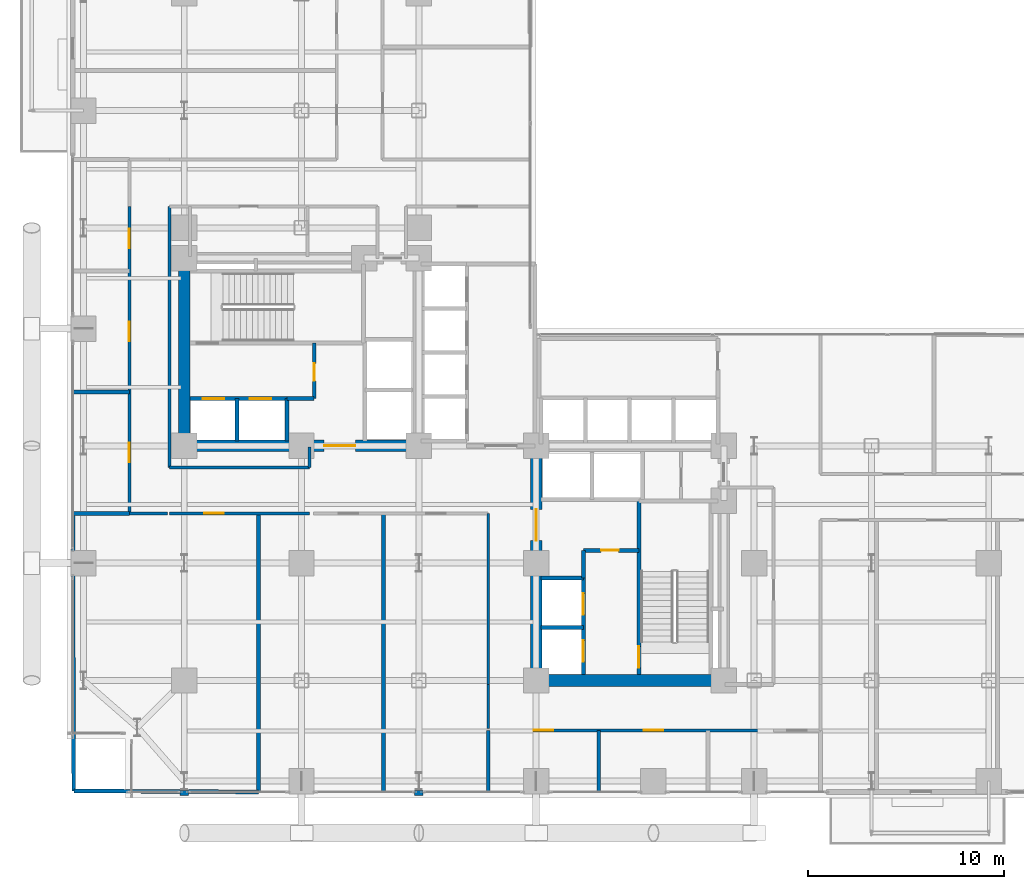
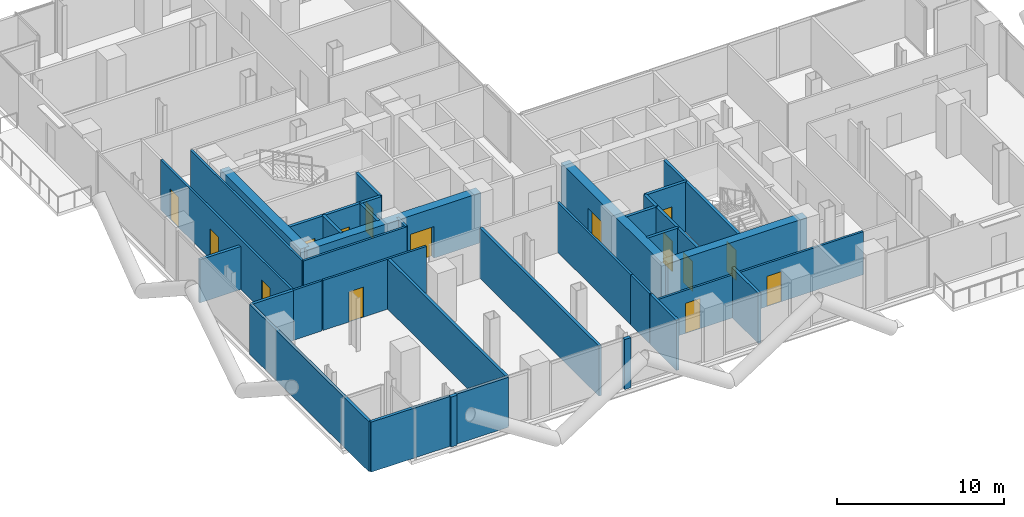
# One storey, part 21 of 27: 35 walls, 15 doors, 15 openings.
"""IFC4 building model written with IfcOpenShell, lengths in metres."""

from ifc_helpers import new_model, si_unit, direction, frame, frame_2d, origin, place, context, subcontext, project, spatial, rectangle, extrude, material, layer, layer_set, type_object, element, fill, save


model = new_model("IFC4")

# Units and contexts
model_context = context("Model", 3, precision=1e-05, world=origin(), true_north=direction((0.0, 1.0)))
body_context = subcontext(model_context, "Body", "Model", "MODEL_VIEW")
ifc_project = project(units=[si_unit("LENGTHUNIT", "METRE"), si_unit("AREAUNIT", "SQUARE_METRE"), si_unit("VOLUMEUNIT", "CUBIC_METRE"), si_unit("PLANEANGLEUNIT", "RADIAN"), si_unit("MASSUNIT", "GRAM", prefix="KILO"), si_unit("THERMODYNAMICTEMPERATUREUNIT", "KELVIN"), si_unit("POWERUNIT", "WATT")], contexts=[model_context])

# Site, building, storey
site_placement = place(None, origin())
site = spatial("IfcSite", under=ifc_project, at=site_placement, CompositionType="ELEMENT")
building_placement = place(site_placement, origin())
building = spatial("IfcBuilding", under=site, at=building_placement, Name="Svarakhadi Broadcast Tower", CompositionType="ELEMENT")
storey_placement = place(building_placement, frame((0.0, 0.0, 75.300048828125)))
storey = spatial("IfcBuildingStorey", under=building, at=storey_placement, Name="L17", CompositionType="ELEMENT", Elevation=75.300048828125)

# Walls
ifc_material_1 = material(Name="Double-Stud Acoustic Studio Partition STC-62", Category="gypsum")
ifc_layer_1 = layer(ifc_material_1, 0.199951171875)
ifc_layer_set_1 = layer_set([ifc_layer_1], Name="Double-Stud Acoustic Studio Partition STC-62")
wall_type_1 = type_object("IfcWallType", Name="Wall_Acoust_200", PredefinedType="PARTITIONING", material=ifc_layer_set_1)
wall_1_placement = place(storey_placement, frame((0.35009765625, 0.35009765625, 0.0), z_axis=(0.0, 0.0, 1.0), x_axis=(0.99998595132, -0.005300675722, 0.0)))
element("IfcWall", 1, at=wall_1_placement, inside=storey, type_object=wall_type_1, Name="L17 Waterfront Broadcast Staff Dining Hall Wall", PredefinedType="PARTITIONING", context=body_context, shape_type="SweptSolid", body=[
    extrude(rectangle(XDim=5.434814453125, YDim=0.199951171875, at=frame_2d((2.71728515625, 0.0))), origin(), (0.0, 0.0, 1.0), 3.64990234375),
])
wall_2_placement = place(storey_placement, frame((6.215087890625, 0.319091796875, 0.0), z_axis=(0.0, 0.0, 1.0), x_axis=(0.999985892136, -0.005311829174, 0.0)))
element("IfcWall", 2, at=wall_2_placement, inside=storey, type_object=wall_type_1, Name="L17 Waterfront Broadcast Staff Dining Hall Wall", PredefinedType="PARTITIONING", context=body_context, shape_type="SweptSolid", body=[
    extrude(rectangle(XDim=3.5849609375, YDim=0.199951171875, at=frame_2d((1.79248046875, 0.0))), origin(), (0.0, 0.0, 1.0), 3.64990234375),
])
wall_3_placement = place(storey_placement, frame((0.35009765625, 0.35009765625, 0.0), z_axis=(0.0, 0.0, 1.0), x_axis=(-0.003524555588, 0.999993788735, 0.0)))
element("IfcWall", 3, at=wall_3_placement, inside=storey, type_object=wall_type_1, Name="L17 Waterfront Broadcast Staff Dining Hall Wall", PredefinedType="PARTITIONING", context=body_context, shape_type="SweptSolid", body=[
    extrude(rectangle(XDim=14.199951171875, YDim=0.199951171875, at=frame_2d((7.10009765625, 0.0))), origin(), (0.0, 0.0, 1.0), 3.64990234375),
])
for number, where, z_axis, x_axis, name in (
    (4, (9.800048828125, 0.300048828125, 0.0), (0.0, 0.0, 1.0), (0.0, 1.0, 0.0), "L17 Waterfront Broadcast Staff Dining Hall Wall"),
    (5, (16.199951171875, 0.300048828125, 0.0), (0.0, 0.0, 1.0), (0.0, 1.0, 0.0), "L17 Central Commercial Catering Kitchen Wall"),
):
    element("IfcWall", number, at=place(storey_placement, frame(where, z_axis=z_axis, x_axis=x_axis)), inside=storey, type_object=wall_type_1, Name=name, PredefinedType="PARTITIONING", context=body_context, shape_type="SweptSolid", body=[
        extrude(rectangle(XDim=14.25, YDim=0.199951171875, at=frame_2d((7.125, 0.0))), origin(), (0.0, 0.0, 1.0), 3.64990234375),
    ])
wall_4_placement = place(storey_placement, frame((0.300048828125, 14.550048828125, 0.0), z_axis=(0.0, 0.0, 1.0), x_axis=(1.0, 0.0, 0.0)))
element("IfcWall", 6, at=wall_4_placement, inside=storey, type_object=wall_type_1, Name="L17 Arabian Sea Commentary Booth Wall", PredefinedType="PARTITIONING", context=body_context, shape_type="SweptSolid", body=[
    extrude(rectangle(XDim=2.89990234375, YDim=0.199951171875, at=frame_2d((1.449951171875, 0.0))), origin(), (0.0, 0.0, 1.0), 3.64990234375),
])
wall_5_placement = place(storey_placement, frame((0.300048828125, 20.75, 0.0), z_axis=(0.0, 0.0, 1.0), x_axis=(1.0, 0.0, 0.0)))
element("IfcWall", 7, at=wall_5_placement, inside=storey, type_object=wall_type_1, Name="L17 Arabian Sea Commentary Booth Wall", PredefinedType="PARTITIONING", context=body_context, shape_type="SweptSolid", body=[
    extrude(rectangle(XDim=2.89990234375, YDim=0.199951171875, at=frame_2d((1.449951171875, 0.0))), origin(), (0.0, 0.0, 1.0), 3.141845703125),
])
for number, where, z_axis, x_axis, name in (
    (8, (21.550048828125, 0.300048828125, 0.0), (0.0, 0.0, 1.0), (0.0, 1.0, 0.0), "L17 South Harbour Editorial Desk Wall"),
    (9, (27.199951171875, 0.300048828125, 0.0), (0.0, 0.0, 1.0), (0.0, 1.0, 0.0), "L17 South Harbour Editorial Desk Wall"),
):
    element("IfcWall", number, at=place(storey_placement, frame(where, z_axis=z_axis, x_axis=x_axis)), inside=storey, type_object=wall_type_1, Name=name, PredefinedType="PARTITIONING", context=body_context, shape_type="SweptSolid", body=[
        extrude(rectangle(XDim=3.14990234375, YDim=0.199951171875, at=frame_2d((1.574951171875, 0.0))), origin(), (0.0, 0.0, 1.0), 3.64990234375),
    ])
ifc_material_2 = material(Name="Concrete C40/50 (IS 456 M50)", Category="concrete")
ifc_layer_2 = layer(ifc_material_2, 0.239990234375)
ifc_layer_set_2 = layer_set([ifc_layer_2], Name="Concrete C40/50 (IS 456 M50)")
wall_type_2 = type_object("IfcWallType", Name="Wall_Ext_240", PredefinedType="SOLIDWALL", material=ifc_layer_set_2)
for number, where, z_axis, x_axis, name in (
    (10, (18.215087890625, 0.239990234375, 0.0), (0.0, 0.0, 1.0), (-1.0, 0.0, 0.0), "L17 Perimeter Bronze Spandrel Closure Wall 05"),
    (11, (6.215087890625, 0.239990234375, 0.0), (0.0, 0.0, 1.0), (-1.0, 0.0, 0.0), "L17 Perimeter Bronze Spandrel Closure Wall 06"),
):
    element("IfcWall", number, at=place(storey_placement, frame(where, z_axis=z_axis, x_axis=x_axis)), inside=storey, type_object=wall_type_2, Name=name, PredefinedType="SOLIDWALL", context=body_context, shape_type="SweptSolid", body=[
        extrude(rectangle(XDim=0.43017578125, YDim=0.239990234375, at=frame_2d((0.215087890625, 0.0))), origin(), (0.0, 0.0, 1.0), 3.64990234375),
    ])

# Wall, openings, doors
ifc_material_3 = material(Name="Autoclaved Aerated Concrete Blockwork 150 mm", Category="masonry")
ifc_layer_3 = layer(ifc_material_3, 0.14990234375)
ifc_layer_set_3 = layer_set([ifc_layer_3], Name="Autoclaved Aerated Concrete Blockwork 150 mm")
wall_type_3 = type_object("IfcWallType", Name="Wall_Part_150", PredefinedType="PARTITIONING", material=ifc_layer_set_3)
wall_6_placement = place(storey_placement, frame((36.14990234375, 3.449951171875, 0.0), z_axis=(0.0, 0.0, 1.0), x_axis=(-1.0, 0.0, 0.0)))
wall_6 = element("IfcWall", 12, at=wall_6_placement, inside=storey, type_object=wall_type_3, Name="L17 Broadcast Corridor Wall", PredefinedType="PARTITIONING", context=body_context, shape_type="SweptSolid", body=[
    extrude(rectangle(XDim=14.599853515625, YDim=0.14990234375, at=frame_2d((7.2998046875, 0.0))), origin(), (0.0, 0.0, 1.0), 3.141845703125),
])
opening_1_placement = place(wall_6_placement, frame((11.27490234375, 0.0, 0.0)))
opening_1 = element("IfcOpeningElement", 13, at=opening_1_placement, cuts=wall_6, Name="Opening D-08", PredefinedType="OPENING", context=body_context, shape_type="SweptSolid", body=[
    extrude(rectangle(XDim=1.0, YDim=2.199951171875, at=frame_2d((0.5, 1.10009765625))), frame((0.0, 0.0849609375, 0.0), z_axis=(0.0, -1.0, 0.0), x_axis=(1.0, 0.0, 0.0)), (0.0, 0.0, 1.0), 0.169921875),
])
opening_2_placement = place(wall_6_placement, frame((5.64990234375, 0.0, 0.0)))
opening_2 = element("IfcOpeningElement", 14, at=opening_2_placement, cuts=wall_6, Name="Opening D-09", PredefinedType="OPENING", context=body_context, shape_type="SweptSolid", body=[
    extrude(rectangle(XDim=1.0, YDim=2.199951171875, at=frame_2d((0.5, 1.10009765625))), frame((0.0, 0.0849609375, 0.0), z_axis=(0.0, -1.0, 0.0), x_axis=(1.0, 0.0, 0.0)), (0.0, 0.0, 1.0), 0.169921875),
])
ifc_material_4 = material(Name="Solid-Core Teak Veneer Acoustic Timber Leaf", Category="wood")
door_type_1 = type_object("IfcDoorType", Name="Door_Suite_D08", OperationType="SINGLE_SWING_LEFT", PredefinedType="DOOR", material=ifc_material_4)
door_1_placement = place(opening_1_placement, origin())
door_1 = element("IfcDoor", 15, at=door_1_placement, inside=storey, type_object=door_type_1, Name="L17 South Harbour Editorial Desk Door", OperationType="SINGLE_SWING_LEFT", OverallHeight=2.199951171875, OverallWidth=1.0, PredefinedType="DOOR", context=body_context, shape_type="SweptSolid", body=[
    extrude(rectangle(XDim=1.0, YDim=2.199951171875, at=frame_2d((0.5, 1.10009765625))), frame((0.0, 0.02490234375, 0.0), z_axis=(0.0, -1.0, 0.0), x_axis=(1.0, 0.0, 0.0)), (0.0, 0.0, 1.0), 0.050048828125),
])
fill(opening_1, door_1)
door_type_2 = type_object("IfcDoorType", Name="Door_Suite_D09", OperationType="SINGLE_SWING_RIGHT", PredefinedType="DOOR", material=ifc_material_4)
door_2_placement = place(opening_2_placement, origin())
door_2 = element("IfcDoor", 16, at=door_2_placement, inside=storey, type_object=door_type_2, Name="L17 Media Legal Review Office Door", OperationType="SINGLE_SWING_RIGHT", OverallHeight=2.199951171875, OverallWidth=1.0, PredefinedType="DOOR", context=body_context, shape_type="SweptSolid", body=[
    extrude(rectangle(XDim=1.0, YDim=2.199951171875, at=frame_2d((0.5, 1.10009765625))), frame((0.0, 0.02490234375, 0.0), z_axis=(0.0, -1.0, 0.0), x_axis=(1.0, 0.0, 0.0)), (0.0, 0.0, 1.0), 0.050048828125),
])
fill(opening_2, door_2)

# Walls
wall_7_placement = place(storey_placement, frame((21.550048828125, 3.550048828125, 0.0), z_axis=(0.0, 0.0, 1.0), x_axis=(0.0, 1.0, 0.0)))
element("IfcWall", 17, at=wall_7_placement, inside=storey, type_object=wall_type_3, Name="L17 Broadcast Corridor Wall", PredefinedType="PARTITIONING", context=body_context, shape_type="SweptSolid", body=[
    extrude(rectangle(XDim=2.25, YDim=0.14990234375, at=frame_2d((1.125, 0.0))), origin(), (0.0, 0.0, 1.0), 3.64990234375),
])
wall_8_placement = place(storey_placement, frame((21.550048828125, 5.800048828125, 0.0), z_axis=(0.0, 0.0, 1.0), x_axis=(0.0, 1.0, 0.0)))
element("IfcWall", 18, at=wall_8_placement, inside=storey, type_object=wall_type_3, Name="L17 Broadcast Corridor Wall", PredefinedType="PARTITIONING", context=body_context, shape_type="SweptSolid", body=[
    extrude(rectangle(XDim=8.75, YDim=0.14990234375, at=frame_2d((4.375, 0.0))), origin(), (0.0, 0.0, 1.0), 3.64990234375),
])

# Wall, opening, door
wall_9_placement = place(storey_placement, frame((12.39990234375, 14.550048828125, 0.0), z_axis=(0.0, 0.0, 1.0), x_axis=(-1.0, 0.0, 0.0)))
wall_9 = element("IfcWall", 19, at=wall_9_placement, inside=storey, type_object=wall_type_3, Name="L17 Broadcast Corridor Wall", PredefinedType="PARTITIONING", context=body_context, shape_type="SweptSolid", body=[
    extrude(rectangle(XDim=7.14990234375, YDim=0.14990234375, at=frame_2d((3.574951171875, 0.0))), origin(), (0.0, 0.0, 1.0), 3.64990234375),
])
opening_3_placement = place(wall_9_placement, frame((4.375, 0.0, 0.0)))
opening_3 = element("IfcOpeningElement", 20, at=opening_3_placement, cuts=wall_9, Name="Opening D-08", PredefinedType="OPENING", context=body_context, shape_type="SweptSolid", body=[
    extrude(rectangle(XDim=1.0, YDim=2.199951171875, at=frame_2d((0.5, 1.10009765625))), frame((0.0, 0.0849609375, 0.0), z_axis=(0.0, -1.0, 0.0), x_axis=(1.0, 0.0, 0.0)), (0.0, 0.0, 1.0), 0.169921875),
])
door_3_placement = place(opening_3_placement, origin())
door_3 = element("IfcDoor", 21, at=door_3_placement, inside=storey, type_object=door_type_1, Name="L17 Waterfront Broadcast Staff Dining Hall Door", OperationType="SINGLE_SWING_LEFT", OverallHeight=2.199951171875, OverallWidth=1.0, PredefinedType="DOOR", context=body_context, shape_type="SweptSolid", body=[
    extrude(rectangle(XDim=1.0, YDim=2.199951171875, at=frame_2d((0.5, 1.10009765625))), frame((0.0, 0.02490234375, 0.0), z_axis=(0.0, -1.0, 0.0), x_axis=(1.0, 0.0, 0.0)), (0.0, 0.0, 1.0), 0.050048828125),
])
fill(opening_3, door_3)

# Wall
wall_10_placement = place(storey_placement, frame((5.14990234375, 14.550048828125, 0.0), z_axis=(0.0, 0.0, 1.0), x_axis=(-1.0, 0.0, 0.0)))
element("IfcWall", 22, at=wall_10_placement, inside=storey, type_object=wall_type_3, Name="L17 Broadcast Corridor Wall", PredefinedType="PARTITIONING", context=body_context, shape_type="SweptSolid", body=[
    extrude(rectangle(XDim=1.949951171875, YDim=0.14990234375, at=frame_2d((0.97509765625, 0.0))), origin(), (0.0, 0.0, 1.0), 3.64990234375),
])

# Wall, openings, doors
wall_11_placement = place(storey_placement, frame((3.199951171875, 14.550048828125, 0.0), z_axis=(0.0, 0.0, 1.0), x_axis=(0.0, 1.0, 0.0)))
wall_11 = element("IfcWall", 23, at=wall_11_placement, inside=storey, type_object=wall_type_3, Name="L17 Broadcast Corridor Wall", PredefinedType="PARTITIONING", context=body_context, shape_type="SweptSolid", body=[
    extrude(rectangle(XDim=15.699951171875, YDim=0.14990234375, at=frame_2d((7.85009765625, 0.0))), origin(), (0.0, 0.0, 1.0), 3.64990234375),
])
opening_4_placement = place(wall_11_placement, frame((2.60009765625, 0.0, 0.0)))
opening_4 = element("IfcOpeningElement", 24, at=opening_4_placement, cuts=wall_11, Name="Opening D-09", PredefinedType="OPENING", context=body_context, shape_type="SweptSolid", body=[
    extrude(rectangle(XDim=1.0, YDim=2.199951171875, at=frame_2d((0.5, 1.10009765625))), frame((0.0, 0.0849609375, 0.0), z_axis=(0.0, -1.0, 0.0), x_axis=(1.0, 0.0, 0.0)), (0.0, 0.0, 1.0), 0.169921875),
])
opening_5_placement = place(wall_11_placement, frame((8.800048828125, 0.0, 0.0)))
opening_5 = element("IfcOpeningElement", 25, at=opening_5_placement, cuts=wall_11, Name="Opening D-08", PredefinedType="OPENING", context=body_context, shape_type="SweptSolid", body=[
    extrude(rectangle(XDim=1.0, YDim=2.199951171875, at=frame_2d((0.5, 1.10009765625))), frame((0.0, 0.0849609375, 0.0), z_axis=(0.0, -1.0, 0.0), x_axis=(1.0, 0.0, 0.0)), (0.0, 0.0, 1.0), 0.169921875),
])
opening_6_placement = place(wall_11_placement, frame((13.550048828125, 0.0, 0.0)))
opening_6 = element("IfcOpeningElement", 26, at=opening_6_placement, cuts=wall_11, Name="Opening D-09", PredefinedType="OPENING", context=body_context, shape_type="SweptSolid", body=[
    extrude(rectangle(XDim=1.0, YDim=2.199951171875, at=frame_2d((0.5, 1.10009765625))), frame((0.0, 0.0849609375, 0.0), z_axis=(0.0, -1.0, 0.0), x_axis=(1.0, 0.0, 0.0)), (0.0, 0.0, 1.0), 0.169921875),
])
door_4_placement = place(opening_5_placement, origin())
door_4 = element("IfcDoor", 27, at=door_4_placement, inside=storey, type_object=door_type_1, Name="L17 Live Translation Studio Door", OperationType="SINGLE_SWING_LEFT", OverallHeight=2.199951171875, OverallWidth=1.0, PredefinedType="DOOR", context=body_context, shape_type="SweptSolid", body=[
    extrude(rectangle(XDim=1.0, YDim=2.199951171875, at=frame_2d((0.5, 1.10009765625))), frame((0.0, 0.02490234375, 0.0), z_axis=(0.0, -1.0, 0.0), x_axis=(1.0, 0.0, 0.0)), (0.0, 0.0, 1.0), 0.050048828125),
])
fill(opening_5, door_4)
door_5_placement = place(opening_4_placement, origin())
door_5 = element("IfcDoor", 28, at=door_5_placement, inside=storey, type_object=door_type_2, Name="L17 Arabian Sea Commentary Booth Door", OperationType="SINGLE_SWING_RIGHT", OverallHeight=2.199951171875, OverallWidth=1.0, PredefinedType="DOOR", context=body_context, shape_type="SweptSolid", body=[
    extrude(rectangle(XDim=1.0, YDim=2.199951171875, at=frame_2d((0.5, 1.10009765625))), frame((0.0, 0.02490234375, 0.0), z_axis=(0.0, -1.0, 0.0), x_axis=(1.0, 0.0, 0.0)), (0.0, 0.0, 1.0), 0.050048828125),
])
fill(opening_4, door_5)
door_6_placement = place(opening_6_placement, origin())
door_6 = element("IfcDoor", 29, at=door_6_placement, inside=storey, type_object=door_type_2, Name="L17 Producer Quiet Lounge Door", OperationType="SINGLE_SWING_RIGHT", OverallHeight=2.199951171875, OverallWidth=1.0, PredefinedType="DOOR", context=body_context, shape_type="SweptSolid", body=[
    extrude(rectangle(XDim=1.0, YDim=2.199951171875, at=frame_2d((0.5, 1.10009765625))), frame((0.0, 0.02490234375, 0.0), z_axis=(0.0, -1.0, 0.0), x_axis=(1.0, 0.0, 0.0)), (0.0, 0.0, 1.0), 0.050048828125),
])
fill(opening_6, door_6)

# Walls
wall_12_placement = place(storey_placement, frame((5.25, 30.25, 0.0), z_axis=(0.0, 0.0, 1.0), x_axis=(0.0, -1.0, 0.0)))
element("IfcWall", 30, at=wall_12_placement, inside=storey, type_object=wall_type_3, Name="L17 Broadcast Corridor Wall", PredefinedType="PARTITIONING", context=body_context, shape_type="SweptSolid", body=[
    extrude(rectangle(XDim=13.35009765625, YDim=0.14990234375, at=frame_2d((6.675048828125, 0.0))), origin(), (0.0, 0.0, 1.0), 3.64990234375),
])
wall_13_placement = place(storey_placement, frame((5.25, 16.89990234375, 0.0), z_axis=(0.0, 0.0, 1.0), x_axis=(1.0, 0.0, 0.0)))
element("IfcWall", 31, at=wall_13_placement, inside=storey, type_object=wall_type_3, Name="L17 Broadcast Corridor Wall", PredefinedType="PARTITIONING", context=body_context, shape_type="SweptSolid", body=[
    extrude(rectangle(XDim=7.14990234375, YDim=0.14990234375, at=frame_2d((3.574951171875, 0.0))), origin(), (0.0, 0.0, 1.0), 3.64990234375),
])
wall_14_placement = place(storey_placement, frame((12.39990234375, 16.89990234375, 0.0), z_axis=(0.0, 0.0, 1.0), x_axis=(0.0, 1.0, 0.0)))
element("IfcWall", 32, at=wall_14_placement, inside=storey, type_object=wall_type_3, Name="L17 Broadcast Corridor Wall", PredefinedType="PARTITIONING", context=body_context, shape_type="SweptSolid", body=[
    extrude(rectangle(XDim=1.050048828125, YDim=0.14990234375, at=frame_2d((0.52490234375, 0.0))), origin(), (0.0, 0.0, 1.0), 3.64990234375),
])

# Wall, opening, door
ifc_material_5 = material(Name="Concrete C50/60 (IS 456 M60)", Category="concrete")
ifc_layer_4 = layer(ifc_material_5, 0.199951171875)
ifc_layer_set_4 = layer_set([ifc_layer_4], Name="Concrete C50/60 (IS 456 M60)")
wall_type_4 = type_object("IfcWallType", Name="Wall_Shear_200", PredefinedType="SHEAR", material=ifc_layer_set_4)
wall_15_placement = place(storey_placement, frame((29.260009765625, 6.300048828125, 0.0), z_axis=(0.0, 0.0, 1.0), x_axis=(0.0, 1.0, 0.0)))
wall_15 = element("IfcWall", 33, at=wall_15_placement, inside=storey, type_object=wall_type_4, Name="L17 Stair ST-02 West RC Shaft Wall", PredefinedType="SHEAR", context=body_context, shape_type="SweptSolid", body=[
    extrude(rectangle(XDim=8.8798828125, YDim=0.199951171875, at=frame_2d((4.43994140625, 0.0))), origin(), (0.0, 0.0, 1.0), 3.64990234375),
])
opening_7_placement = place(wall_15_placement, frame((0.35009765625, 0.0, 0.0)))
opening_7 = element("IfcOpeningElement", 34, at=opening_7_placement, cuts=wall_15, Name="Opening D-02", PredefinedType="OPENING", context=body_context, shape_type="SweptSolid", body=[
    extrude(rectangle(XDim=1.10009765625, YDim=2.199951171875, at=frame_2d((0.550048828125, 1.10009765625))), frame((0.0, 0.10986328125, 0.0), z_axis=(0.0, -1.0, 0.0), x_axis=(1.0, 0.0, 0.0)), (0.0, 0.0, 1.0), 0.219970703125),
])
ifc_material_6 = material(Name="Galvanised Powder-Coated Fire-Rated Steel Leaf", Category="steel")
door_type_3 = type_object("IfcDoorType", Name="Door_Stair_D02", OperationType="SINGLE_SWING_RIGHT", PredefinedType="DOOR", material=ifc_material_6)
door_7_placement = place(opening_7_placement, origin())
door_7 = element("IfcDoor", 35, at=door_7_placement, inside=storey, type_object=door_type_3, Name="L17 Protected Exit Stair ST-02 Fire Door", OperationType="SINGLE_SWING_RIGHT", OverallHeight=2.199951171875, OverallWidth=1.10009765625, PredefinedType="DOOR", context=body_context, shape_type="SweptSolid", body=[
    extrude(rectangle(XDim=1.10009765625, YDim=2.199951171875, at=frame_2d((0.550048828125, 1.10009765625))), frame((0.0, 0.02490234375, 0.0), z_axis=(0.0, -1.0, 0.0), x_axis=(1.0, 0.0, 0.0)), (0.0, 0.0, 1.0), 0.050048828125),
])
fill(opening_7, door_7)

# Wall, openings, doors
wall_16_placement = place(storey_placement, frame((6.300048828125, 20.419921875, 0.0), z_axis=(0.0, 0.0, 1.0), x_axis=(1.0, 0.0, 0.0)))
wall_16 = element("IfcWall", 36, at=wall_16_placement, inside=storey, type_object=wall_type_4, Name="L17 Firefighting Lift LF-01/02 Shaft Wall", PredefinedType="SHEAR", context=body_context, shape_type="SweptSolid", body=[
    extrude(rectangle(XDim=4.949951171875, YDim=0.199951171875, at=frame_2d((2.47509765625, 0.0))), origin(), (0.0, 0.0, 1.0), 3.64990234375),
])
opening_8_placement = place(wall_16_placement, frame((0.64990234375, 0.0, 0.0)))
opening_8 = element("IfcOpeningElement", 37, at=opening_8_placement, cuts=wall_16, Name="Opening LD-01", PredefinedType="OPENING", context=body_context, shape_type="SweptSolid", body=[
    extrude(rectangle(XDim=1.10009765625, YDim=2.199951171875, at=frame_2d((0.550048828125, 1.10009765625))), frame((0.0, 0.10986328125, 0.0), z_axis=(0.0, -1.0, 0.0), x_axis=(1.0, 0.0, 0.0)), (0.0, 0.0, 1.0), 0.219970703125),
])
opening_9_placement = place(wall_16_placement, frame((3.050048828125, 0.0, 0.0)))
opening_9 = element("IfcOpeningElement", 38, at=opening_9_placement, cuts=wall_16, Name="Opening LD-01", PredefinedType="OPENING", context=body_context, shape_type="SweptSolid", body=[
    extrude(rectangle(XDim=1.10009765625, YDim=2.199951171875, at=frame_2d((0.550048828125, 1.10009765625))), frame((0.0, 0.10986328125, 0.0), z_axis=(0.0, -1.0, 0.0), x_axis=(1.0, 0.0, 0.0)), (0.0, 0.0, 1.0), 0.219970703125),
])
door_type_4 = type_object("IfcDoorType", Name="Door_Lift_LD01", OperationType="SLIDING_TO_LEFT", PredefinedType="DOOR", material=ifc_material_6)
door_8_placement = place(opening_8_placement, origin())
door_8 = element("IfcDoor", 39, at=door_8_placement, inside=storey, type_object=door_type_4, Name="L17 Firefighting Lift LF-01 Landing Door", OperationType="SLIDING_TO_LEFT", OverallHeight=2.199951171875, OverallWidth=1.10009765625, PredefinedType="DOOR", context=body_context, shape_type="SweptSolid", body=[
    extrude(rectangle(XDim=1.10009765625, YDim=2.199951171875, at=frame_2d((0.550048828125, 1.10009765625))), frame((0.0, 0.02490234375, 0.0), z_axis=(0.0, -1.0, 0.0), x_axis=(1.0, 0.0, 0.0)), (0.0, 0.0, 1.0), 0.050048828125),
])
fill(opening_8, door_8)
door_9_placement = place(opening_9_placement, origin())
door_9 = element("IfcDoor", 40, at=door_9_placement, inside=storey, type_object=door_type_4, Name="L17 Firefighting Lift LF-02 Landing Door", OperationType="SLIDING_TO_LEFT", OverallHeight=2.199951171875, OverallWidth=1.10009765625, PredefinedType="DOOR", context=body_context, shape_type="SweptSolid", body=[
    extrude(rectangle(XDim=1.10009765625, YDim=2.199951171875, at=frame_2d((0.550048828125, 1.10009765625))), frame((0.0, 0.02490234375, 0.0), z_axis=(0.0, -1.0, 0.0), x_axis=(1.0, 0.0, 0.0)), (0.0, 0.0, 1.0), 0.050048828125),
])
fill(opening_9, door_9)

# Walls
for number, where, z_axis, x_axis, name in (
    (41, (8.699951171875, 18.25, 0.0), (0.0, 0.0, 1.0), (0.0, 1.0, 0.0), "L17 Firefighting Lift LF-01/02 Divider Wall"),
    (42, (11.25, 18.25, 0.0), (0.0, 0.0, 1.0), (0.0, 1.0, 0.0), "L17 Firefighting Lift LF-02 East Wall"),
):
    element("IfcWall", number, at=place(storey_placement, frame(where, z_axis=z_axis, x_axis=x_axis)), inside=storey, type_object=wall_type_4, Name=name, PredefinedType="SHEAR", context=body_context, shape_type="SweptSolid", body=[
        extrude(rectangle(XDim=2.169921875, YDim=0.199951171875, at=frame_2d((1.0849609375, 0.0))), origin(), (0.0, 0.0, 1.0), 3.64990234375),
    ])
wall_17_placement = place(storey_placement, frame((11.25, 20.419921875, 0.0), z_axis=(0.0, 0.0, 1.0), x_axis=(1.0, 0.0, 0.0)))
element("IfcWall", 43, at=wall_17_placement, inside=storey, type_object=wall_type_4, Name="L17 West Firefighting Lobby South Wall", PredefinedType="SHEAR", context=body_context, shape_type="SweptSolid", body=[
    extrude(rectangle(XDim=1.39990234375, YDim=0.199951171875, at=frame_2d((0.699951171875, 0.0))), origin(), (0.0, 0.0, 1.0), 3.64990234375),
])

# Wall, opening, door
wall_18_placement = place(storey_placement, frame((12.64990234375, 20.419921875, 0.0), z_axis=(0.0, 0.0, 1.0), x_axis=(0.0, 1.0, 0.0)))
wall_18 = element("IfcWall", 44, at=wall_18_placement, inside=storey, type_object=wall_type_4, Name="L17 West Firefighting Lobby East Wall", PredefinedType="SHEAR", context=body_context, shape_type="SweptSolid", body=[
    extrude(rectangle(XDim=2.840087890625, YDim=0.199951171875, at=frame_2d((1.419921875, 0.0))), origin(), (0.0, 0.0, 1.0), 3.64990234375),
])
opening_10_placement = place(wall_18_placement, frame((0.89990234375, 0.0, 0.0)))
opening_10 = element("IfcOpeningElement", 45, at=opening_10_placement, cuts=wall_18, Name="Opening D-03", PredefinedType="OPENING", context=body_context, shape_type="SweptSolid", body=[
    extrude(rectangle(XDim=0.89990234375, YDim=2.14990234375, at=frame_2d((0.449951171875, 1.074951171875))), frame((0.0, 0.10986328125, 0.0), z_axis=(0.0, -1.0, 0.0), x_axis=(1.0, 0.0, 0.0)), (0.0, 0.0, 1.0), 0.219970703125),
])
door_type_5 = type_object("IfcDoorType", Name="Door_Fire_D03", OperationType="SINGLE_SWING_LEFT", PredefinedType="DOOR", material=ifc_material_6)
door_10_placement = place(opening_10_placement, origin())
door_10 = element("IfcDoor", 46, at=door_10_placement, inside=storey, type_object=door_type_5, Name="L17 West Firefighting Lobby Fire Door", OperationType="SINGLE_SWING_LEFT", OverallHeight=2.14990234375, OverallWidth=0.89990234375, PredefinedType="DOOR", context=body_context, shape_type="SweptSolid", body=[
    extrude(rectangle(XDim=0.89990234375, YDim=2.14990234375, at=frame_2d((0.449951171875, 1.074951171875))), frame((0.0, 0.02490234375, 0.0), z_axis=(0.0, -1.0, 0.0), x_axis=(1.0, 0.0, 0.0)), (0.0, 0.0, 1.0), 0.050048828125),
])
fill(opening_10, door_10)

# Wall, openings, doors
wall_19_placement = place(storey_placement, frame((26.419921875, 6.300048828125, 0.0), z_axis=(0.0, 0.0, 1.0), x_axis=(0.0, 1.0, 0.0)))
wall_19 = element("IfcWall", 47, at=wall_19_placement, inside=storey, type_object=wall_type_4, Name="L17 Firefighting Lift LF-03/04 Shaft Wall", PredefinedType="SHEAR", context=body_context, shape_type="SweptSolid", body=[
    extrude(rectangle(XDim=4.949951171875, YDim=0.199951171875, at=frame_2d((2.47509765625, 0.0))), origin(), (0.0, 0.0, 1.0), 3.64990234375),
])
opening_11_placement = place(wall_19_placement, frame((0.64990234375, 0.0, 0.0)))
opening_11 = element("IfcOpeningElement", 48, at=opening_11_placement, cuts=wall_19, Name="Opening LD-01", PredefinedType="OPENING", context=body_context, shape_type="SweptSolid", body=[
    extrude(rectangle(XDim=1.10009765625, YDim=2.199951171875, at=frame_2d((0.550048828125, 1.10009765625))), frame((0.0, 0.10986328125, 0.0), z_axis=(0.0, -1.0, 0.0), x_axis=(1.0, 0.0, 0.0)), (0.0, 0.0, 1.0), 0.219970703125),
])
opening_12_placement = place(wall_19_placement, frame((3.050048828125, 0.0, 0.0)))
opening_12 = element("IfcOpeningElement", 49, at=opening_12_placement, cuts=wall_19, Name="Opening LD-01", PredefinedType="OPENING", context=body_context, shape_type="SweptSolid", body=[
    extrude(rectangle(XDim=1.10009765625, YDim=2.199951171875, at=frame_2d((0.550048828125, 1.10009765625))), frame((0.0, 0.10986328125, 0.0), z_axis=(0.0, -1.0, 0.0), x_axis=(1.0, 0.0, 0.0)), (0.0, 0.0, 1.0), 0.219970703125),
])
door_11_placement = place(opening_11_placement, origin())
door_11 = element("IfcDoor", 50, at=door_11_placement, inside=storey, type_object=door_type_4, Name="L17 Firefighting Lift LF-03 Landing Door", OperationType="SLIDING_TO_LEFT", OverallHeight=2.199951171875, OverallWidth=1.10009765625, PredefinedType="DOOR", context=body_context, shape_type="SweptSolid", body=[
    extrude(rectangle(XDim=1.10009765625, YDim=2.199951171875, at=frame_2d((0.550048828125, 1.10009765625))), frame((0.0, 0.02490234375, 0.0), z_axis=(0.0, -1.0, 0.0), x_axis=(1.0, 0.0, 0.0)), (0.0, 0.0, 1.0), 0.050048828125),
])
fill(opening_11, door_11)
door_12_placement = place(opening_12_placement, origin())
door_12 = element("IfcDoor", 51, at=door_12_placement, inside=storey, type_object=door_type_4, Name="L17 Firefighting Lift LF-04 Landing Door", OperationType="SLIDING_TO_LEFT", OverallHeight=2.199951171875, OverallWidth=1.10009765625, PredefinedType="DOOR", context=body_context, shape_type="SweptSolid", body=[
    extrude(rectangle(XDim=1.10009765625, YDim=2.199951171875, at=frame_2d((0.550048828125, 1.10009765625))), frame((0.0, 0.02490234375, 0.0), z_axis=(0.0, -1.0, 0.0), x_axis=(1.0, 0.0, 0.0)), (0.0, 0.0, 1.0), 0.050048828125),
])
fill(opening_12, door_12)

# Walls
for number, where, z_axis, x_axis, name in (
    (52, (24.25, 8.699951171875, 0.0), (0.0, 0.0, 1.0), (1.0, 0.0, 0.0), "L17 Firefighting Lift LF-03/04 Divider Wall"),
    (53, (24.25, 11.25, 0.0), (0.0, 0.0, 1.0), (1.0, 0.0, 0.0), "L17 Firefighting Lift LF-04 North Wall"),
):
    element("IfcWall", number, at=place(storey_placement, frame(where, z_axis=z_axis, x_axis=x_axis)), inside=storey, type_object=wall_type_4, Name=name, PredefinedType="SHEAR", context=body_context, shape_type="SweptSolid", body=[
        extrude(rectangle(XDim=2.169921875, YDim=0.199951171875, at=frame_2d((1.0849609375, 0.0))), origin(), (0.0, 0.0, 1.0), 3.64990234375),
    ])
wall_20_placement = place(storey_placement, frame((26.419921875, 11.25, 0.0), z_axis=(0.0, 0.0, 1.0), x_axis=(0.0, 1.0, 0.0)))
element("IfcWall", 54, at=wall_20_placement, inside=storey, type_object=wall_type_4, Name="L17 East Firefighting Lobby West Wall", PredefinedType="SHEAR", context=body_context, shape_type="SweptSolid", body=[
    extrude(rectangle(XDim=1.39990234375, YDim=0.199951171875, at=frame_2d((0.699951171875, 0.0))), origin(), (0.0, 0.0, 1.0), 3.64990234375),
])

# Wall, opening, door
wall_21_placement = place(storey_placement, frame((26.419921875, 12.64990234375, 0.0), z_axis=(0.0, 0.0, 1.0), x_axis=(1.0, 0.0, 0.0)))
wall_21 = element("IfcWall", 55, at=wall_21_placement, inside=storey, type_object=wall_type_4, Name="L17 East Firefighting Lobby North Wall", PredefinedType="SHEAR", context=body_context, shape_type="SweptSolid", body=[
    extrude(rectangle(XDim=2.840087890625, YDim=0.199951171875, at=frame_2d((1.419921875, 0.0))), origin(), (0.0, 0.0, 1.0), 3.64990234375),
])
opening_13_placement = place(wall_21_placement, frame((0.89990234375, 0.0, 0.0)))
opening_13 = element("IfcOpeningElement", 56, at=opening_13_placement, cuts=wall_21, Name="Opening D-04", PredefinedType="OPENING", context=body_context, shape_type="SweptSolid", body=[
    extrude(rectangle(XDim=0.89990234375, YDim=2.14990234375, at=frame_2d((0.449951171875, 1.074951171875))), frame((0.0, 0.10986328125, 0.0), z_axis=(0.0, -1.0, 0.0), x_axis=(1.0, 0.0, 0.0)), (0.0, 0.0, 1.0), 0.219970703125),
])
door_type_6 = type_object("IfcDoorType", Name="Door_Fire_D04", OperationType="SINGLE_SWING_RIGHT", PredefinedType="DOOR", material=ifc_material_6)
door_13_placement = place(opening_13_placement, origin())
door_13 = element("IfcDoor", 57, at=door_13_placement, inside=storey, type_object=door_type_6, Name="L17 East Firefighting Lobby Fire Door", OperationType="SINGLE_SWING_RIGHT", OverallHeight=2.14990234375, OverallWidth=0.89990234375, PredefinedType="DOOR", context=body_context, shape_type="SweptSolid", body=[
    extrude(rectangle(XDim=0.89990234375, YDim=2.14990234375, at=frame_2d((0.449951171875, 1.074951171875))), frame((0.0, 0.02490234375, 0.0), z_axis=(0.0, -1.0, 0.0), x_axis=(1.0, 0.0, 0.0)), (0.0, 0.0, 1.0), 0.050048828125),
])
fill(opening_13, door_13)

ifc_material_7 = material(Name="Concrete C60/75 (IS 456 M70)", Category="concrete")
ifc_layer_5 = layer(ifc_material_7, 0.60009765625)
ifc_layer_set_5 = layer_set([ifc_layer_5], Name="Concrete C60/75 (IS 456 M70)")
wall_type_5 = type_object("IfcWallType", Name="Wall_Shear_600", PredefinedType="SHEAR", material=ifc_layer_set_5)
wall_22_placement = place(storey_placement, frame((6.0, 18.0, 0.0), z_axis=(0.0, 0.0, 1.0), x_axis=(1.0, 0.0, 0.0)))
wall_22 = element("IfcWall", 58, at=wall_22_placement, inside=storey, type_object=wall_type_5, Name="L17 West Core South Shear Wall", PredefinedType="SHEAR", context=body_context, shape_type="SweptSolid", body=[
    extrude(rectangle(XDim=12.0, YDim=0.60009765625, at=frame_2d((6.0, 0.0))), origin(), (0.0, 0.0, 1.0), 3.64990234375),
])
opening_14_placement = place(wall_22_placement, frame((7.14990234375, 0.0, 0.0)))
opening_14 = element("IfcOpeningElement", 59, at=opening_14_placement, cuts=wall_22, Name="Opening D-05", PredefinedType="OPENING", context=body_context, shape_type="SweptSolid", body=[
    extrude(rectangle(XDim=1.60009765625, YDim=2.300048828125, at=frame_2d((0.800048828125, 1.14990234375))), frame((0.0, 0.31005859375, 0.0), z_axis=(0.0, -1.0, 0.0), x_axis=(1.0, 0.0, 0.0)), (0.0, 0.0, 1.0), 0.6201171875),
])
ifc_material_8 = material(Name="Anodised Bronze Aluminium AA 6063-T6", Category="aluminium")
door_type_7 = type_object("IfcDoorType", Name="Door_Lobby_D05", OperationType="DOUBLE_DOOR_SLIDING", PredefinedType="DOOR", material=ifc_material_8)
door_14_placement = place(opening_14_placement, origin())
door_14 = element("IfcDoor", 60, at=door_14_placement, inside=storey, type_object=door_type_7, Name="L17 West Core Passenger Lift Lobby Entrance Door", OperationType="DOUBLE_DOOR_SLIDING", OverallHeight=2.300048828125, OverallWidth=1.60009765625, PredefinedType="DOOR", context=body_context, shape_type="SweptSolid", body=[
    extrude(rectangle(XDim=1.60009765625, YDim=2.300048828125, at=frame_2d((0.800048828125, 1.14990234375))), frame((0.0, 0.02490234375, 0.0), z_axis=(0.0, -1.0, 0.0), x_axis=(1.0, 0.0, 0.0)), (0.0, 0.0, 1.0), 0.050048828125),
])
fill(opening_14, door_14)

# Walls
for number, where, z_axis, x_axis, name in (
    (61, (6.0, 18.0, 0.0), (0.0, 0.0, 1.0), (0.0, 1.0, 0.0), "L17 West Core West Shear Wall"),
    (62, (24.0, 6.0, 0.0), (0.0, 0.0, 1.0), (1.0, 0.0, 0.0), "L17 East Core South Shear Wall"),
):
    element("IfcWall", number, at=place(storey_placement, frame(where, z_axis=z_axis, x_axis=x_axis)), inside=storey, type_object=wall_type_5, Name=name, PredefinedType="SHEAR", context=body_context, shape_type="SweptSolid", body=[
        extrude(rectangle(XDim=9.60009765625, YDim=0.60009765625, at=frame_2d((4.800048828125, 0.0))), origin(), (0.0, 0.0, 1.0), 3.64990234375),
    ])

# Wall, opening, door
wall_23_placement = place(storey_placement, frame((24.0, 6.0, 0.0), z_axis=(0.0, 0.0, 1.0), x_axis=(0.0, 1.0, 0.0)))
wall_23 = element("IfcWall", 63, at=wall_23_placement, inside=storey, type_object=wall_type_5, Name="L17 East Core West Shear Wall", PredefinedType="SHEAR", context=body_context, shape_type="SweptSolid", body=[
    extrude(rectangle(XDim=12.0, YDim=0.60009765625, at=frame_2d((6.0, 0.0))), origin(), (0.0, 0.0, 1.0), 3.64990234375),
])
opening_15_placement = place(wall_23_placement, frame((7.14990234375, 0.0, 0.0)))
opening_15 = element("IfcOpeningElement", 64, at=opening_15_placement, cuts=wall_23, Name="Opening D-05", PredefinedType="OPENING", context=body_context, shape_type="SweptSolid", body=[
    extrude(rectangle(XDim=1.60009765625, YDim=2.300048828125, at=frame_2d((0.800048828125, 1.14990234375))), frame((0.0, 0.31005859375, 0.0), z_axis=(0.0, -1.0, 0.0), x_axis=(1.0, 0.0, 0.0)), (0.0, 0.0, 1.0), 0.6201171875),
])
door_15_placement = place(opening_15_placement, origin())
door_15 = element("IfcDoor", 65, at=door_15_placement, inside=storey, type_object=door_type_7, Name="L17 East Core Passenger Lift Lobby Entrance Door", OperationType="DOUBLE_DOOR_SLIDING", OverallHeight=2.300048828125, OverallWidth=1.60009765625, PredefinedType="DOOR", context=body_context, shape_type="SweptSolid", body=[
    extrude(rectangle(XDim=1.60009765625, YDim=2.300048828125, at=frame_2d((0.800048828125, 1.14990234375))), frame((0.0, 0.02490234375, 0.0), z_axis=(0.0, -1.0, 0.0), x_axis=(1.0, 0.0, 0.0)), (0.0, 0.0, 1.0), 0.050048828125),
])
fill(opening_15, door_15)

save(model, "model.ifc")
